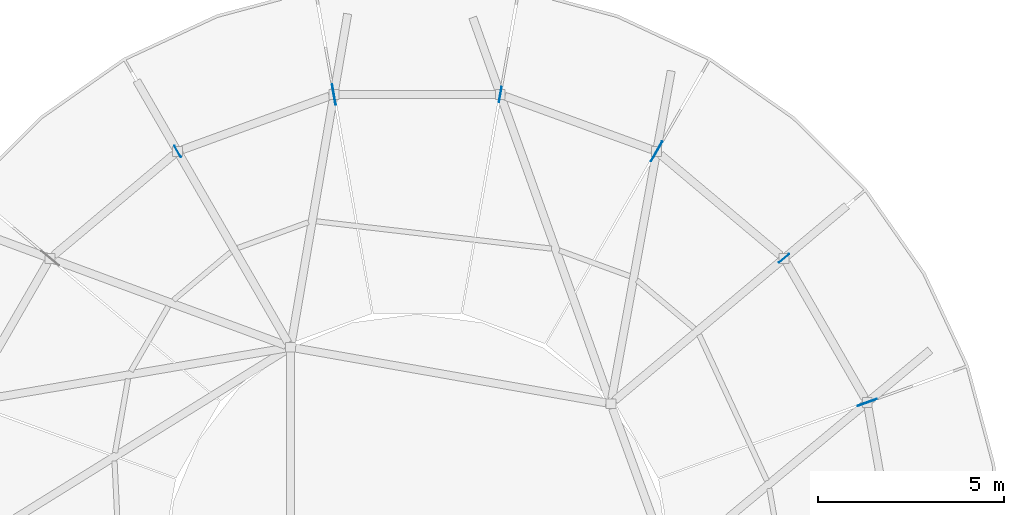
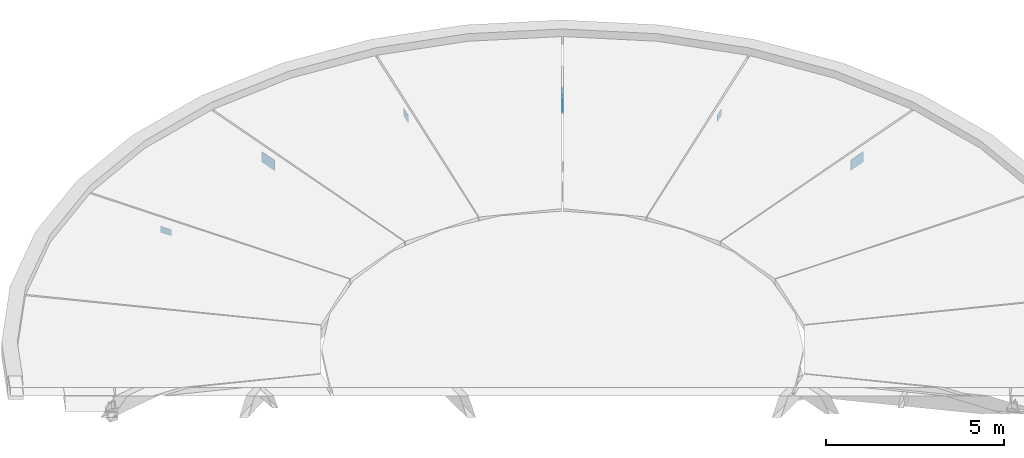
# One storey, part 5 of 6: 6 plates.
"""IFC4 building model written with IfcOpenShell, lengths in metres."""

import ifcopenshell
import ifcopenshell.guid

model = None  # the IFC model being written
_history = None  # IfcOwnerHistory: only IFC2X3 demands one
_inside = {}  # id of a spatial element -> (the spatial element, [elements in it])
_under = {}  # id of a project, library or spatial element -> (it, [spatial elements below it])
_declared = {}  # id of a project -> (the project, [libraries it declares])
_typed = {}  # id of a type object -> (the type object, [elements of that type])
_made_of = {}  # id of a material, layer set ... -> (it, [elements and type objects made of it])


def new_model(schema):
    """Start an empty IFC model of exactly this schema.

    Asked for "IFC4X3", IfcOpenShell would pick the latest addendum, in which some entities
    have other attributes; the version numbers below select the first issue.
    IFC2X3 requires an IfcOwnerHistory on every rooted entity: one is made here for all.
    """
    global model, _history
    if schema == "IFC4X3":
        model = ifcopenshell.file(schema_version=(4, 3, 0, 0))
    else:
        model = ifcopenshell.file(schema=schema)
    _inside.clear()
    _under.clear()
    _declared.clear()
    _typed.clear()
    _made_of.clear()
    _history = None
    if model.schema == "IFC2X3":
        org = make("IfcOrganization", Name="unknown")
        user = make(
            "IfcPersonAndOrganization",
            ThePerson=make("IfcPerson", FamilyName="unknown"),
            TheOrganization=org,
        )
        app = make(
            "IfcApplication",
            ApplicationDeveloper=org,
            Version="unknown",
            ApplicationFullName="unknown",
            ApplicationIdentifier="unknown",
        )
        _history = make(
            "IfcOwnerHistory",
            OwningUser=user,
            OwningApplication=app,
            ChangeAction="ADDED",
            CreationDate=0,
        )
    return model


def make(cls, **values):
    """One entity of the class cls with the attributes given. An attribute that is None is left unset."""
    return model.create_entity(
        cls, **{name: value for name, value in values.items() if value is not None}
    )


def rooted(cls, **values):
    """An entity with a GlobalId (a new one), such as an element, a storey or a relation."""
    return make(cls, GlobalId=ifcopenshell.guid.new(), OwnerHistory=_history, **values)


def si_unit(unit_type, name, prefix=None):
    """IfcSIUnit, for example si_unit("LENGTHUNIT", "METRE", prefix="MILLI")."""
    return make("IfcSIUnit", UnitType=unit_type, Prefix=prefix, Name=name)


def assignment(units):
    """IfcUnitAssignment: the units of a project."""
    return None if units is None else make("IfcUnitAssignment", Units=units)


def point(xyz):
    """IfcCartesianPoint."""
    return None if xyz is None else make("IfcCartesianPoint", Coordinates=xyz)


def direction(xyz):
    """IfcDirection."""
    return None if xyz is None else make("IfcDirection", DirectionRatios=xyz)


def frame(location, z_axis=None, x_axis=None):
    """IfcAxis2Placement3D, a coordinate frame: its origin and axes. An axis left out is left unset."""
    return make(
        "IfcAxis2Placement3D",
        Location=point(location),
        Axis=direction(z_axis),
        RefDirection=direction(x_axis),
    )


def frame_2d(location, x_axis=None):
    """IfcAxis2Placement2D, a coordinate frame in the plane: its origin and x axis."""
    return make(
        "IfcAxis2Placement2D", Location=point(location), RefDirection=direction(x_axis)
    )


def origin():
    """The frame at (0, 0, 0) with its axes left unset."""
    return frame((0.0, 0.0, 0.0))


def origin_2d():
    """The frame at (0, 0) in the plane with its x axis left unset."""
    return frame_2d((0.0, 0.0))


def place(relative_to, where):
    """IfcLocalPlacement: puts the frame where relative to a parent placement (None: the world)."""
    return make(
        "IfcLocalPlacement", PlacementRelTo=relative_to, RelativePlacement=where
    )


def context(
    kind, dimensions, precision=None, world=None, true_north=None, identifier=None
):
    """IfcGeometricRepresentationContext, for example the 3D "Model" context."""
    return make(
        "IfcGeometricRepresentationContext",
        ContextIdentifier=identifier,
        ContextType=kind,
        CoordinateSpaceDimension=dimensions,
        Precision=precision,
        WorldCoordinateSystem=world,
        TrueNorth=true_north,
    )


def subcontext(parent, identifier, kind, view, scale=None):
    """IfcGeometricRepresentationSubContext, for example "Body" below "Model"."""
    return make(
        "IfcGeometricRepresentationSubContext",
        ContextIdentifier=identifier,
        ContextType=kind,
        ParentContext=parent,
        TargetScale=scale,
        TargetView=view,
    )


def project(units=None, contexts=None):
    """IfcProject with its units and contexts."""
    return rooted(
        "IfcProject",
        Name="project",
        RepresentationContexts=contexts,
        UnitsInContext=assignment(units),
    )


def spatial(cls, under=None, at=None, **own):
    """A site, building, storey or space (cls), placed at a placement, below another one or the project."""
    s = rooted(cls, ObjectPlacement=at, **own)
    if under is not None:
        _under.setdefault(under.id(), (under, []))[1].append(s)
    return s


def profile(cls, at=None, kind="AREA", **sizes):
    """A parametric profile (cls). Its sizes go by their IFC names, for example OverallWidth=200.0."""
    return make(cls, ProfileType=kind, Position=at, **sizes)


def rectangle(**sizes):
    """IfcRectangleProfileDef."""
    return profile("IfcRectangleProfileDef", **sizes)


def extrude(swept, where, along, depth):
    """IfcExtrudedAreaSolid: the profile swept, set in the frame where, extruded along a direction by depth."""
    return make(
        "IfcExtrudedAreaSolid",
        SweptArea=swept,
        Position=where,
        ExtrudedDirection=direction(along),
        Depth=depth,
    )


def shape(context_of_items, identifier, shape_type, items):
    """IfcShapeRepresentation: the items that make up one representation, for example the "Body"."""
    return make(
        "IfcShapeRepresentation",
        ContextOfItems=context_of_items,
        RepresentationIdentifier=identifier,
        RepresentationType=shape_type,
        Items=items,
    )


def material(Name=None, Category=None):
    """IfcMaterial."""
    return make("IfcMaterial", Name=Name, Category=Category)


def layer(
    of_material, thickness, ventilated=None, Name=None, Category=None, Priority=None
):
    """IfcMaterialLayer: one layer of a wall or slab, of a material (None: an air gap)."""
    return make(
        "IfcMaterialLayer",
        Material=of_material,
        LayerThickness=thickness,
        IsVentilated=ventilated,
        Name=Name,
        Category=Category,
        Priority=Priority,
    )


def layer_set(layers, Name=None):
    """IfcMaterialLayerSet."""
    return make("IfcMaterialLayerSet", MaterialLayers=layers, LayerSetName=Name)


def made_of(thing, what):
    """Note that an element or type object is made of a material, layer set ...; save() writes the relation."""
    if what is not None:
        _made_of.setdefault(what.id(), (what, []))[1].append(thing)
    return thing


def type_object(cls, material=None, **own):
    """A type object (cls), such as IfcWallType, which elements share."""
    return made_of(rooted(cls, **own), material)


def element(
    cls,
    number,
    at=None,
    inside=None,
    cuts=None,
    type_object=None,
    material=None,
    context=None,
    identifier="Body",
    shape_type=None,
    held_by="IfcProductDefinitionShape",
    body=None,
    shapes=None,
    **own,
):
    """One element of the class cls, such as IfcWall. Its Tag is "e" and its number.

    at: its placement. inside: the storey or other place that contains it. cuts: it is an
    opening in that element (IfcRelVoidsElement). A single representation is given by context,
    identifier, shape_type and body (its items); several are given by shapes. held_by: the class
    of the entity that holds the representations. save() writes the other relations.
    """
    e = rooted(cls, Tag="e%d" % number, ObjectPlacement=at, **own)
    if body is not None:
        shapes = [shape(context, identifier, shape_type, body)]
    if shapes is not None:
        e.Representation = make(held_by, Representations=shapes)
    if inside is not None:
        _inside.setdefault(inside.id(), (inside, []))[1].append(e)
    if cuts is not None:
        rooted(
            "IfcRelVoidsElement", RelatingBuildingElement=cuts, RelatedOpeningElement=e
        )
    if type_object is not None:
        _typed.setdefault(type_object.id(), (type_object, []))[1].append(e)
    return made_of(e, material)


def aggregate(whole, parts):
    """IfcRelAggregates: a whole, such as a stair, and the parts it consists of."""
    return rooted("IfcRelAggregates", RelatingObject=whole, RelatedObjects=parts)


def save(model, path):
    """Write the relations noted so far, then the file.

    IfcRelAggregates (storeys below a building ...), IfcRelContainedInSpatialStructure (elements
    in a storey), IfcRelDefinesByType, IfcRelAssociatesMaterial and IfcRelDeclares: one each for
    every whole, place, type object, material and project.
    """
    for whole, parts in _under.values():
        aggregate(whole, parts)
    for where, things in _inside.values():
        rooted(
            "IfcRelContainedInSpatialStructure",
            RelatedElements=things,
            RelatingStructure=where,
        )
    for kind, things in _typed.values():
        rooted("IfcRelDefinesByType", RelatedObjects=things, RelatingType=kind)
    for what, things in _made_of.values():
        rooted("IfcRelAssociatesMaterial", RelatedObjects=things, RelatingMaterial=what)
    for by, libraries in _declared.values():
        rooted("IfcRelDeclares", RelatingContext=by, RelatedDefinitions=libraries)
    model.write(path)


model = new_model("IFC4")

# Units and contexts
model_context = context("Model", 3, precision=1e-05, world=origin(), true_north=direction((0.0, 1.0)))
body_context = subcontext(model_context, "Body", "Model", "MODEL_VIEW")
ifc_project = project(units=[si_unit("LENGTHUNIT", "METRE"), si_unit("AREAUNIT", "SQUARE_METRE"), si_unit("VOLUMEUNIT", "CUBIC_METRE"), si_unit("PLANEANGLEUNIT", "RADIAN"), si_unit("MASSUNIT", "GRAM", prefix="KILO")], contexts=[model_context])

# Site, building, storey
site_placement = place(None, origin())
site = spatial("IfcSite", under=ifc_project, at=site_placement, CompositionType="ELEMENT")
building_placement = place(site_placement, origin())
building = spatial("IfcBuilding", under=site, at=building_placement, Name="Aldenvaro Health Centre", CompositionType="ELEMENT")
storey_placement = place(building_placement, frame((0.0, 0.0, 25.550048828125)))
storey = spatial("IfcBuildingStorey", under=building, at=storey_placement, Name="RF", CompositionType="ELEMENT", Elevation=25.550048828125)

# Plates
ifc_material = material(Name="Steel ASTM A572 Grade 50", Category="steel")
ifc_layer_1 = layer(ifc_material, 0.013916015625, Name="Steel ASTM A572 Grade 50", Category="steel")
ifc_layer_set_1 = layer_set([ifc_layer_1], Name="Steel ASTM A572 Grade 50")
plate_type_1 = type_object("IfcPlateType", Name="PLT-GUS-07", PredefinedType="SHEET", material=ifc_layer_set_1)
plate_1_placement = place(storey_placement, frame((20.737060546875, 112.18408203125, 0.2431640625), z_axis=(0.0, 0.0, 1.0), x_axis=(0.173683461416, 0.984801530883, 0.0)))
element("IfcPlate", 1, at=plate_1_placement, inside=storey, type_object=plate_type_1, Name="D4 Rafter Eave Gusset 05", PredefinedType="SHEET", context=body_context, shape_type="SweptSolid", body=[
    extrude(rectangle(XDim=0.409912109375, YDim=0.013916015625, at=origin_2d()), origin(), (0.0, 0.0, 1.0), 0.260009765625),
])
ifc_layer_2 = layer(ifc_material, 0.01904296875, Name="Steel ASTM A572 Grade 50", Category="steel")
ifc_layer_set_2 = layer_set([ifc_layer_2], Name="Steel ASTM A572 Grade 50")
plate_type_2 = type_object("IfcPlateType", Name="PLT-GUS-08", PredefinedType="SHEET", material=ifc_layer_set_2)
for number, where, z_axis, x_axis, name in (
    (2, (30.60302734375, 103.905029296875, 0.197998046875), (0.0, 0.0, 1.0), (0.939695908252, 0.342011110952, 0.0), "D4 Rafter Eave Gusset 02"),
    (3, (16.262939453125, 112.18408203125, 0.197998046875), (0.0, 0.0, 1.0), (-0.173683461416, 0.984801530883, 0.0), "D4 Rafter Eave Gusset 06"),
):
    element("IfcPlate", number, at=place(storey_placement, frame(where, z_axis=z_axis, x_axis=x_axis)), inside=storey, type_object=plate_type_2, Name=name, PredefinedType="SHEET", context=body_context, shape_type="SweptSolid", body=[
        extrude(rectangle(XDim=0.550048828125, YDim=0.01904296875, at=origin_2d()), origin(), (0.0, 0.0, 1.0), 0.35009765625),
    ])
ifc_layer_3 = layer(ifc_material, 0.011962890625, Name="Steel ASTM A572 Grade 50", Category="steel")
ifc_layer_set_3 = layer_set([ifc_layer_3], Name="Steel ASTM A572 Grade 50")
plate_type_3 = type_object("IfcPlateType", Name="PLT-GUS-09", PredefinedType="SHEET", material=ifc_layer_set_3)
for number, where, z_axis, x_axis, name in (
    (4, (28.366943359375, 107.779052734375, 0.26318359375), (0.0, 0.0, 1.0), (0.766059584127, 0.642769564905, 0.0), "D4 Rafter Eave Gusset 03"),
    (5, (12.06005859375, 110.654052734375, 0.26318359375), (0.0, 0.0, 1.0), (-0.500013689996, 0.866017499717, 0.0), "D4 Rafter Eave Gusset 07"),
):
    element("IfcPlate", number, at=place(storey_placement, frame(where, z_axis=z_axis, x_axis=x_axis)), inside=storey, type_object=plate_type_3, Name=name, PredefinedType="SHEET", context=body_context, shape_type="SweptSolid", body=[
        extrude(rectangle(XDim=0.35009765625, YDim=0.011962890625, at=origin_2d()), origin(), (0.0, 0.0, 1.0), 0.219970703125),
    ])
ifc_layer_4 = layer(ifc_material, 0.02099609375, Name="Steel ASTM A572 Grade 50", Category="steel")
ifc_layer_set_4 = layer_set([ifc_layer_4], Name="Steel ASTM A572 Grade 50")
plate_type_4 = type_object("IfcPlateType", Name="PLT-GUS-10", PredefinedType="SHEET", material=ifc_layer_set_4)
plate_2_placement = place(storey_placement, frame((24.93994140625, 110.654052734375, 0.173095703125), z_axis=(0.0, 0.0, 1.0), x_axis=(0.500013689996, 0.866017499717, 0.0)))
element("IfcPlate", 6, at=plate_2_placement, inside=storey, type_object=plate_type_4, Name="D4 Rafter Eave Gusset 04", PredefinedType="SHEET", context=body_context, shape_type="SweptSolid", body=[
    extrude(rectangle(XDim=0.610107421875, YDim=0.02099609375, at=origin_2d()), origin(), (0.0, 0.0, 1.0), 0.39990234375),
])

save(model, "model.ifc")
